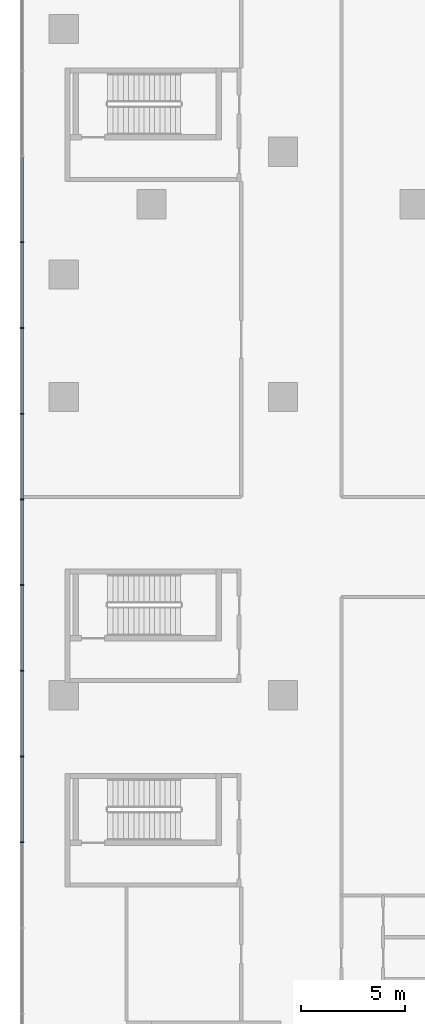
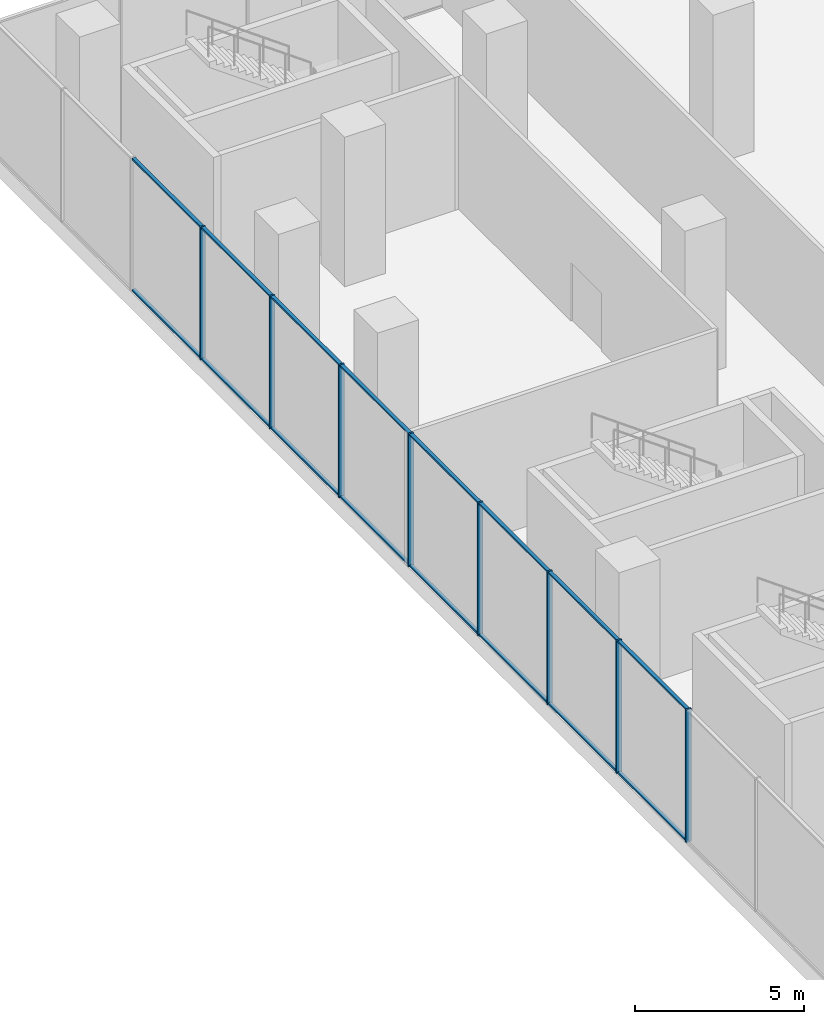
# One storey, part 6 of 23: 24 members, 1 element without a shape of its own.
"""IFC4 building model written with IfcOpenShell, lengths in metres."""

from ifc_helpers import new_model, si_unit, direction, frame, origin, origin_2d, place, context, subcontext, project, spatial, rectangle, extrude, source, transform, mapped, material, layer, layer_set, material_profile, profile_set, type_object, element, aggregate, save


model = new_model("IFC4")

# Units and contexts
model_context = context("Model", 3, precision=1e-05, world=origin(), true_north=direction((0.0, 1.0)))
body_context = subcontext(model_context, "Body", "Model", "MODEL_VIEW")
ifc_project = project(units=[si_unit("LENGTHUNIT", "METRE"), si_unit("AREAUNIT", "SQUARE_METRE"), si_unit("VOLUMEUNIT", "CUBIC_METRE"), si_unit("PLANEANGLEUNIT", "RADIAN"), si_unit("MASSUNIT", "GRAM", prefix="KILO")], contexts=[model_context])

# Site, building, storey
site_placement = place(None, origin())
site = spatial("IfcSite", under=ifc_project, at=site_placement, CompositionType="ELEMENT")
building_placement = place(site_placement, origin())
building = spatial("IfcBuilding", under=site, at=building_placement, Name="Aurelian Terraces", CompositionType="ELEMENT")
storey_placement = place(building_placement, frame((0.0, 0.0, 18.3)))
storey = spatial("IfcBuildingStorey", under=building, at=storey_placement, Name="L03", CompositionType="ELEMENT", Elevation=18.3)

# Curtain wall, members
ifc_material_1 = material(Name="Anodised aluminium and clear glazing", Category="aluminium")
ifc_layer = layer(ifc_material_1, 0.2)
ifc_layer_set = layer_set([ifc_layer], Name="Winter garden glazing curtain wall")
curtain_wall_type = type_object("IfcCurtainWallType", Name="Winter garden glazing curtain wall", PredefinedType="NOTDEFINED", material=ifc_layer_set)
curtain_wall_placement = place(storey_placement, origin())
curtain_wall = element("IfcCurtainWall", 1, at=curtain_wall_placement, inside=storey, type_object=curtain_wall_type, Name="Winter garden glazing L03 F06.1", PredefinedType="NOTDEFINED")
ifc_material_2 = material(Name="Anodised aluminium", Category="aluminium")
ifc_material_profile_1 = material_profile(ifc_material_2, rectangle(XDim=0.18, YDim=0.06, at=origin_2d()))
ifc_profile_set_1 = profile_set([ifc_material_profile_1], Name="Anodised aluminium")
member_type_1 = type_object("IfcMemberType", Name="Winter garden glazing mullion", PredefinedType="MULLION", material=ifc_profile_set_1)
shared_shape_1 = source(origin(), body_context, "Body", "SweptSolid", [
    extrude(rectangle(XDim=0.18, YDim=0.06, at=origin_2d()), origin(), (0.0, 0.0, 1.0), 4.8),
])
member_1_placement = place(storey_placement, frame((-2.0, 59.5, 0.0), z_axis=(0.0, 0.0, 1.0), x_axis=(1.0, 0.0, 0.0)))
member_1 = element("IfcMember", 2, at=member_1_placement, type_object=member_type_1, Name="CW6 mullion 4", PredefinedType="MULLION", context=body_context, shape_type="MappedRepresentation", body=[
    mapped(shared_shape_1, transform((0.0, 0.0, 0.0), scale=1.0)),
])
member_2_placement = place(storey_placement, frame((-2.0, 55.3933, 0.0), z_axis=(0.0, 0.0, 1.0), x_axis=(1.0, 0.0, 0.0)))
member_2 = element("IfcMember", 3, at=member_2_placement, type_object=member_type_1, Name="CW6 mullion 5", PredefinedType="MULLION", context=body_context, shape_type="MappedRepresentation", body=[
    mapped(shared_shape_1, transform((0.0, 0.0, 0.0), scale=1.0)),
])
member_3_placement = place(storey_placement, frame((-2.0, 51.2867, 0.0), z_axis=(0.0, 0.0, 1.0), x_axis=(1.0, 0.0, 0.0)))
member_3 = element("IfcMember", 4, at=member_3_placement, type_object=member_type_1, Name="CW6 mullion 6", PredefinedType="MULLION", context=body_context, shape_type="MappedRepresentation", body=[
    mapped(shared_shape_1, transform((0.0, 0.0, 0.0), scale=1.0)),
])
member_4_placement = place(storey_placement, frame((-2.0, 47.18, 0.0), z_axis=(0.0, 0.0, 1.0), x_axis=(1.0, 0.0, 0.0)))
member_4 = element("IfcMember", 5, at=member_4_placement, type_object=member_type_1, Name="CW6 mullion 7", PredefinedType="MULLION", context=body_context, shape_type="MappedRepresentation", body=[
    mapped(shared_shape_1, transform((0.0, 0.0, 0.0), scale=1.0)),
])
member_5_placement = place(storey_placement, frame((-2.0, 43.0733, 0.0), z_axis=(0.0, 0.0, 1.0), x_axis=(1.0, 0.0, 0.0)))
member_5 = element("IfcMember", 6, at=member_5_placement, type_object=member_type_1, Name="CW6 mullion 8", PredefinedType="MULLION", context=body_context, shape_type="MappedRepresentation", body=[
    mapped(shared_shape_1, transform((0.0, 0.0, 0.0), scale=1.0)),
])
member_6_placement = place(storey_placement, frame((-2.0, 38.9667, 0.0), z_axis=(0.0, 0.0, 1.0), x_axis=(1.0, 0.0, 0.0)))
member_6 = element("IfcMember", 7, at=member_6_placement, type_object=member_type_1, Name="CW6 mullion 9", PredefinedType="MULLION", context=body_context, shape_type="MappedRepresentation", body=[
    mapped(shared_shape_1, transform((0.0, 0.0, 0.0), scale=1.0)),
])
member_7_placement = place(storey_placement, frame((-2.0, 34.86, 0.0), z_axis=(0.0, 0.0, 1.0), x_axis=(1.0, 0.0, 0.0)))
member_7 = element("IfcMember", 8, at=member_7_placement, type_object=member_type_1, Name="CW6 mullion 10", PredefinedType="MULLION", context=body_context, shape_type="MappedRepresentation", body=[
    mapped(shared_shape_1, transform((0.0, 0.0, 0.0), scale=1.0)),
])
member_8_placement = place(storey_placement, frame((-2.0, 30.7533, 0.0), z_axis=(0.0, 0.0, 1.0), x_axis=(1.0, 0.0, 0.0)))
member_8 = element("IfcMember", 9, at=member_8_placement, type_object=member_type_1, Name="CW6 mullion 11", PredefinedType="MULLION", context=body_context, shape_type="MappedRepresentation", body=[
    mapped(shared_shape_1, transform((0.0, 0.0, 0.0), scale=1.0)),
])
ifc_material_profile_2 = material_profile(ifc_material_2, rectangle(XDim=0.12, YDim=0.06, at=origin_2d()))
ifc_profile_set_2 = profile_set([ifc_material_profile_2], Name="Anodised aluminium")
member_type_2 = type_object("IfcMemberType", Name="Winter garden glazing transom", PredefinedType="USERDEFINED", material=ifc_profile_set_2)
shared_shape_2 = source(origin(), body_context, "Body", "SweptSolid", [
    extrude(rectangle(XDim=0.12, YDim=0.06, at=origin_2d()), origin(), (0.0, 0.0, 1.0), 4.0466),
])
member_9_placement = place(storey_placement, frame((-2.0, 55.3633, 0.03), z_axis=(0.0, -1.0, 0.0), x_axis=(1.0, 0.0, 0.0)))
member_9 = element("IfcMember", 10, at=member_9_placement, type_object=member_type_2, Name="CW6 transom 5.1", ObjectType="TRANSOM", PredefinedType="USERDEFINED", context=body_context, shape_type="MappedRepresentation", body=[
    mapped(shared_shape_2, transform((0.0, 0.0, 0.0), scale=1.0)),
])
member_10_placement = place(storey_placement, frame((-2.0, 55.3633, 4.77), z_axis=(0.0, -1.0, 0.0), x_axis=(1.0, 0.0, 0.0)))
member_10 = element("IfcMember", 11, at=member_10_placement, type_object=member_type_2, Name="CW6 transom 5.2", ObjectType="TRANSOM", PredefinedType="USERDEFINED", context=body_context, shape_type="MappedRepresentation", body=[
    mapped(shared_shape_2, transform((0.0, 0.0, 0.0), scale=1.0)),
])
member_11_placement = place(storey_placement, frame((-2.0, 43.0433, 0.03), z_axis=(0.0, -1.0, 0.0), x_axis=(1.0, 0.0, 0.0)))
member_11 = element("IfcMember", 12, at=member_11_placement, type_object=member_type_2, Name="CW6 transom 8.1", ObjectType="TRANSOM", PredefinedType="USERDEFINED", context=body_context, shape_type="MappedRepresentation", body=[
    mapped(shared_shape_2, transform((0.0, 0.0, 0.0), scale=1.0)),
])
member_12_placement = place(storey_placement, frame((-2.0, 43.0433, 4.77), z_axis=(0.0, -1.0, 0.0), x_axis=(1.0, 0.0, 0.0)))
member_12 = element("IfcMember", 13, at=member_12_placement, type_object=member_type_2, Name="CW6 transom 8.2", ObjectType="TRANSOM", PredefinedType="USERDEFINED", context=body_context, shape_type="MappedRepresentation", body=[
    mapped(shared_shape_2, transform((0.0, 0.0, 0.0), scale=1.0)),
])
shared_shape_3 = source(origin(), body_context, "Body", "SweptSolid", [
    extrude(rectangle(XDim=0.12, YDim=0.06, at=origin_2d()), origin(), (0.0, 0.0, 1.0), 4.0467),
])
member_13_placement = place(storey_placement, frame((-2.0, 63.5767, 0.03), z_axis=(0.0, -1.0, 0.0), x_axis=(1.0, 0.0, 0.0)))
member_13 = element("IfcMember", 14, at=member_13_placement, type_object=member_type_2, Name="CW6 transom 3.1", ObjectType="TRANSOM", PredefinedType="USERDEFINED", context=body_context, shape_type="MappedRepresentation", body=[
    mapped(shared_shape_3, transform((0.0, 0.0, 0.0), scale=1.0)),
])
member_14_placement = place(storey_placement, frame((-2.0, 63.5767, 4.77), z_axis=(0.0, -1.0, 0.0), x_axis=(1.0, 0.0, 0.0)))
member_14 = element("IfcMember", 15, at=member_14_placement, type_object=member_type_2, Name="CW6 transom 3.2", ObjectType="TRANSOM", PredefinedType="USERDEFINED", context=body_context, shape_type="MappedRepresentation", body=[
    mapped(shared_shape_3, transform((0.0, 0.0, 0.0), scale=1.0)),
])
member_15_placement = place(storey_placement, frame((-2.0, 59.47, 0.03), z_axis=(0.0, -1.0, 0.0), x_axis=(1.0, 0.0, 0.0)))
member_15 = element("IfcMember", 16, at=member_15_placement, type_object=member_type_2, Name="CW6 transom 4.1", ObjectType="TRANSOM", PredefinedType="USERDEFINED", context=body_context, shape_type="MappedRepresentation", body=[
    mapped(shared_shape_3, transform((0.0, 0.0, 0.0), scale=1.0)),
])
member_16_placement = place(storey_placement, frame((-2.0, 59.47, 4.77), z_axis=(0.0, -1.0, 0.0), x_axis=(1.0, 0.0, 0.0)))
member_16 = element("IfcMember", 17, at=member_16_placement, type_object=member_type_2, Name="CW6 transom 4.2", ObjectType="TRANSOM", PredefinedType="USERDEFINED", context=body_context, shape_type="MappedRepresentation", body=[
    mapped(shared_shape_3, transform((0.0, 0.0, 0.0), scale=1.0)),
])
member_17_placement = place(storey_placement, frame((-2.0, 51.2567, 0.03), z_axis=(0.0, -1.0, 0.0), x_axis=(1.0, 0.0, 0.0)))
member_17 = element("IfcMember", 18, at=member_17_placement, type_object=member_type_2, Name="CW6 transom 6.1", ObjectType="TRANSOM", PredefinedType="USERDEFINED", context=body_context, shape_type="MappedRepresentation", body=[
    mapped(shared_shape_3, transform((0.0, 0.0, 0.0), scale=1.0)),
])
member_18_placement = place(storey_placement, frame((-2.0, 51.2567, 4.77), z_axis=(0.0, -1.0, 0.0), x_axis=(1.0, 0.0, 0.0)))
member_18 = element("IfcMember", 19, at=member_18_placement, type_object=member_type_2, Name="CW6 transom 6.2", ObjectType="TRANSOM", PredefinedType="USERDEFINED", context=body_context, shape_type="MappedRepresentation", body=[
    mapped(shared_shape_3, transform((0.0, 0.0, 0.0), scale=1.0)),
])
member_19_placement = place(storey_placement, frame((-2.0, 47.15, 0.03), z_axis=(0.0, -1.0, 0.0), x_axis=(1.0, 0.0, 0.0)))
member_19 = element("IfcMember", 20, at=member_19_placement, type_object=member_type_2, Name="CW6 transom 7.1", ObjectType="TRANSOM", PredefinedType="USERDEFINED", context=body_context, shape_type="MappedRepresentation", body=[
    mapped(shared_shape_3, transform((0.0, 0.0, 0.0), scale=1.0)),
])
member_20_placement = place(storey_placement, frame((-2.0, 47.15, 4.77), z_axis=(0.0, -1.0, 0.0), x_axis=(1.0, 0.0, 0.0)))
member_20 = element("IfcMember", 21, at=member_20_placement, type_object=member_type_2, Name="CW6 transom 7.2", ObjectType="TRANSOM", PredefinedType="USERDEFINED", context=body_context, shape_type="MappedRepresentation", body=[
    mapped(shared_shape_3, transform((0.0, 0.0, 0.0), scale=1.0)),
])
member_21_placement = place(storey_placement, frame((-2.0, 38.9367, 0.03), z_axis=(0.0, -1.0, 0.0), x_axis=(1.0, 0.0, 0.0)))
member_21 = element("IfcMember", 22, at=member_21_placement, type_object=member_type_2, Name="CW6 transom 9.1", ObjectType="TRANSOM", PredefinedType="USERDEFINED", context=body_context, shape_type="MappedRepresentation", body=[
    mapped(shared_shape_3, transform((0.0, 0.0, 0.0), scale=1.0)),
])
member_22_placement = place(storey_placement, frame((-2.0, 38.9367, 4.77), z_axis=(0.0, -1.0, 0.0), x_axis=(1.0, 0.0, 0.0)))
member_22 = element("IfcMember", 23, at=member_22_placement, type_object=member_type_2, Name="CW6 transom 9.2", ObjectType="TRANSOM", PredefinedType="USERDEFINED", context=body_context, shape_type="MappedRepresentation", body=[
    mapped(shared_shape_3, transform((0.0, 0.0, 0.0), scale=1.0)),
])
member_23_placement = place(storey_placement, frame((-2.0, 34.83, 0.03), z_axis=(0.0, -1.0, 0.0), x_axis=(1.0, 0.0, 0.0)))
member_23 = element("IfcMember", 24, at=member_23_placement, type_object=member_type_2, Name="CW6 transom 10.1", ObjectType="TRANSOM", PredefinedType="USERDEFINED", context=body_context, shape_type="MappedRepresentation", body=[
    mapped(shared_shape_3, transform((0.0, 0.0, 0.0), scale=1.0)),
])
member_24_placement = place(storey_placement, frame((-2.0, 34.83, 4.77), z_axis=(0.0, -1.0, 0.0), x_axis=(1.0, 0.0, 0.0)))
member_24 = element("IfcMember", 25, at=member_24_placement, type_object=member_type_2, Name="CW6 transom 10.2", ObjectType="TRANSOM", PredefinedType="USERDEFINED", context=body_context, shape_type="MappedRepresentation", body=[
    mapped(shared_shape_3, transform((0.0, 0.0, 0.0), scale=1.0)),
])
aggregate(curtain_wall, [member_1, member_2, member_3, member_4, member_5, member_6, member_7, member_8, member_13, member_14, member_15, member_16, member_9, member_10, member_17, member_18, member_19, member_20, member_11, member_12, member_21, member_22, member_23, member_24])

save(model, "model.ifc")
